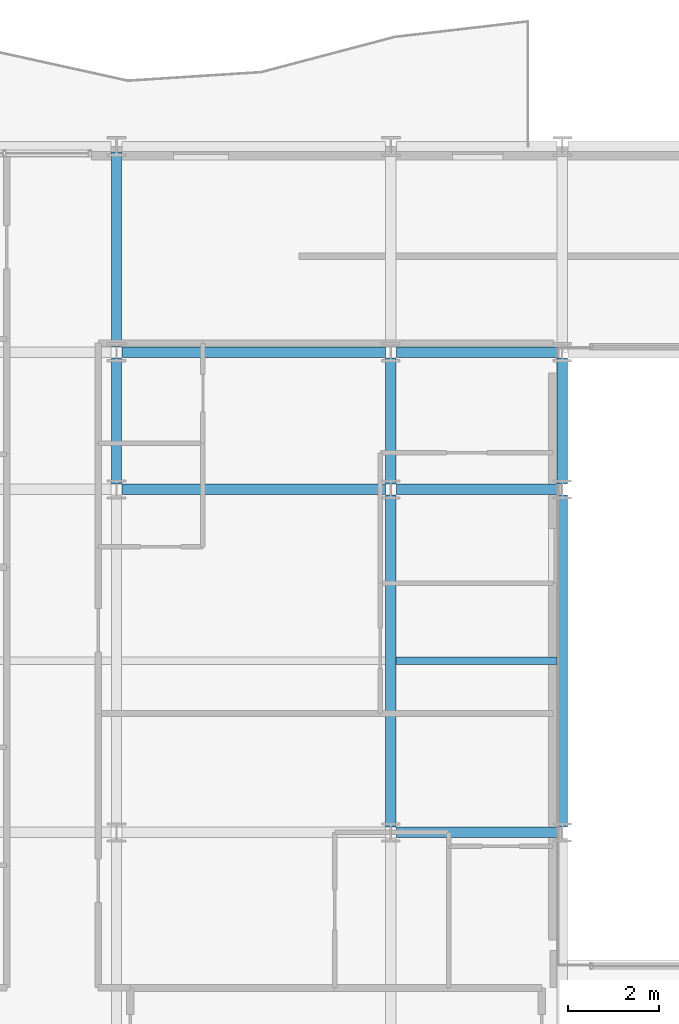
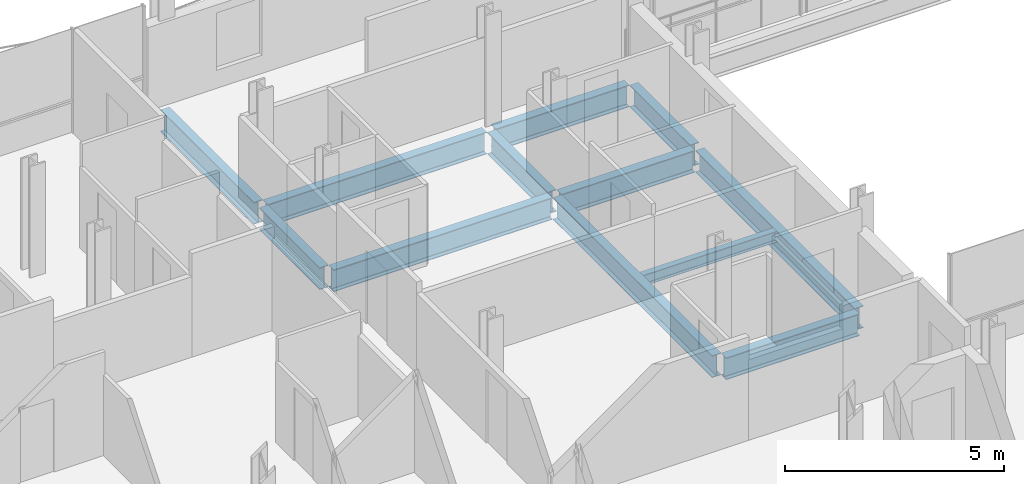
# One storey, part 8 of 40: 12 beams.
"""IFC4 building model written with IfcOpenShell, lengths in metres."""

from ifc_helpers import new_model, si_unit, direction, frame, origin, origin_2d, place, context, subcontext, project, spatial, i_section, extrude, material, material_profile, profile_set, type_object, element, save


model = new_model("IFC4")

# Units and contexts
model_context = context("Model", 3, precision=1e-05, world=origin(), true_north=direction((0.0, 1.0)))
body_context = subcontext(model_context, "Body", "Model", "MODEL_VIEW")
ifc_project = project(units=[si_unit("LENGTHUNIT", "METRE"), si_unit("AREAUNIT", "SQUARE_METRE"), si_unit("VOLUMEUNIT", "CUBIC_METRE"), si_unit("PLANEANGLEUNIT", "RADIAN"), si_unit("MASSUNIT", "GRAM", prefix="KILO")], contexts=[model_context])

# Site, building, storey
site_placement = place(None, origin())
site = spatial("IfcSite", under=ifc_project, at=site_placement, CompositionType="ELEMENT")
building_placement = place(site_placement, origin())
building = spatial("IfcBuilding", under=site, at=building_placement, Name="Brevholm Reach", CompositionType="ELEMENT")
storey_placement = place(building_placement, frame((0.0, 0.0, 125.199951171875)))
storey = spatial("IfcBuildingStorey", under=building, at=storey_placement, Name="L37", CompositionType="ELEMENT", Elevation=125.199951171875)

# Beams
ifc_material_1 = material(Name="Structural Steel S355J2", Category="steel")
ifc_material_profile_1 = material_profile(ifc_material_1, i_section(OverallWidth=0.1650390625, OverallDepth=0.303466796875, WebThickness=0.006103515625, FlangeThickness=0.01025390625, FilletRadius=0.0087890625, at=origin_2d()), Name="UKB 305x165x40")
ifc_profile_set_1 = profile_set([ifc_material_profile_1], Name="Structural Steel S355J2")
beam_type_1 = type_object("IfcBeamType", Name="BM-B305", PredefinedType="BEAM", material=ifc_profile_set_1)
beam_1_placement = place(storey_placement, frame((18.114501953125, 19.75, -0.37158203125), z_axis=(1.0, 0.0, 0.0), x_axis=(0.0, 1.0, 0.0)))
element("IfcBeam", 1, at=beam_1_placement, inside=storey, type_object=beam_type_1, Name="L37 Composite Secondary Floor Beam", PredefinedType="BEAM", context=body_context, shape_type="SweptSolid", body=[
    extrude(i_section(OverallWidth=0.1650390625, OverallDepth=0.303466796875, WebThickness=0.006103515625, FlangeThickness=0.01025390625, FilletRadius=0.0087890625, at=origin_2d()), origin(), (0.0, 0.0, 1.0), 3.52099609375),
])
ifc_material_2 = material(Name="Structural Steel S355J2", Category="steel")
ifc_material_profile_2 = material_profile(ifc_material_2, i_section(OverallWidth=0.22900390625, OverallDepth=0.6123046875, WebThickness=0.011962890625, FlangeThickness=0.01953125, FilletRadius=0.0126953125, at=origin_2d()), Name="UKB 610x229x125")
ifc_profile_set_2 = profile_set([ifc_material_profile_2], Name="Structural Steel S355J2")
beam_type_2 = type_object("IfcBeamType", Name="BM-SP610", PredefinedType="SPANDREL", material=ifc_profile_set_2)
beam_2_placement = place(storey_placement, frame((18.1201171875, 16.0, -0.526123046875), z_axis=(1.0, 0.0, 0.0), x_axis=(0.0, 1.0, 0.0)))
element("IfcBeam", 2, at=beam_2_placement, inside=storey, type_object=beam_type_2, Name="L37 SP-01 Framing Beam", PredefinedType="SPANDREL", context=body_context, shape_type="SweptSolid", body=[
    extrude(i_section(OverallWidth=0.22900390625, OverallDepth=0.6123046875, WebThickness=0.011962890625, FlangeThickness=0.01953125, FilletRadius=0.0126953125, at=origin_2d()), origin(), (0.0, 0.0, 1.0), 3.509765625),
])
beam_3_placement = place(storey_placement, frame((12.1201171875, 23.5, -0.526123046875), z_axis=(1.0, 0.0, 0.0), x_axis=(0.0, 1.0, 0.0)))
element("IfcBeam", 3, at=beam_3_placement, inside=storey, type_object=beam_type_2, Name="L37 SP-01 Framing Beam", PredefinedType="SPANDREL", context=body_context, shape_type="SweptSolid", body=[
    extrude(i_section(OverallWidth=0.22900390625, OverallDepth=0.6123046875, WebThickness=0.011962890625, FlangeThickness=0.01953125, FilletRadius=0.0126953125, at=origin_2d()), origin(), (0.0, 0.0, 1.0), 5.759765625),
])
beam_4_placement = place(storey_placement, frame((18.1201171875, 23.5, -0.526123046875), z_axis=(1.0, 0.0, 0.0), x_axis=(0.0, 1.0, 0.0)))
element("IfcBeam", 4, at=beam_4_placement, inside=storey, type_object=beam_type_2, Name="L37 SP-01 Framing Beam", PredefinedType="SPANDREL", context=body_context, shape_type="SweptSolid", body=[
    extrude(i_section(OverallWidth=0.22900390625, OverallDepth=0.6123046875, WebThickness=0.011962890625, FlangeThickness=0.01953125, FilletRadius=0.0126953125, at=origin_2d()), origin(), (0.0, 0.0, 1.0), 3.509765625),
])
beam_5_placement = place(storey_placement, frame((12.1201171875, 26.5, -0.526123046875), z_axis=(1.0, 0.0, 0.0), x_axis=(0.0, 1.0, 0.0)))
element("IfcBeam", 5, at=beam_5_placement, inside=storey, type_object=beam_type_2, Name="L37 SP-01 Framing Beam", PredefinedType="SPANDREL", context=body_context, shape_type="SweptSolid", body=[
    extrude(i_section(OverallWidth=0.22900390625, OverallDepth=0.6123046875, WebThickness=0.011962890625, FlangeThickness=0.01953125, FilletRadius=0.0126953125, at=origin_2d()), origin(), (0.0, 0.0, 1.0), 5.759765625),
])
beam_6_placement = place(storey_placement, frame((18.1201171875, 26.5, -0.526123046875), z_axis=(1.0, 0.0, 0.0), x_axis=(0.0, 1.0, 0.0)))
element("IfcBeam", 6, at=beam_6_placement, inside=storey, type_object=beam_type_2, Name="L37 SP-01 Framing Beam", PredefinedType="SPANDREL", context=body_context, shape_type="SweptSolid", body=[
    extrude(i_section(OverallWidth=0.22900390625, OverallDepth=0.6123046875, WebThickness=0.011962890625, FlangeThickness=0.01953125, FilletRadius=0.0126953125, at=origin_2d()), origin(), (0.0, 0.0, 1.0), 3.509765625),
])
beam_7_placement = place(storey_placement, frame((12.0, 23.6201171875, -0.526123046875), z_axis=(0.0, 1.0, 0.0), x_axis=(-1.0, 0.0, 0.0)))
element("IfcBeam", 7, at=beam_7_placement, inside=storey, type_object=beam_type_2, Name="L37 SP-01 Framing Beam", PredefinedType="SPANDREL", context=body_context, shape_type="SweptSolid", body=[
    extrude(i_section(OverallWidth=0.22900390625, OverallDepth=0.6123046875, WebThickness=0.011962890625, FlangeThickness=0.01953125, FilletRadius=0.0126953125, at=origin_2d()), origin(), (0.0, 0.0, 1.0), 2.759765625),
])
beam_8_placement = place(storey_placement, frame((12.0, 26.6201171875, -0.526123046875), z_axis=(0.0, 1.0, 0.0), x_axis=(-1.0, 0.0, 0.0)))
element("IfcBeam", 8, at=beam_8_placement, inside=storey, type_object=beam_type_2, Name="L37 SP-01 Framing Beam", PredefinedType="SPANDREL", context=body_context, shape_type="SweptSolid", body=[
    extrude(i_section(OverallWidth=0.22900390625, OverallDepth=0.6123046875, WebThickness=0.011962890625, FlangeThickness=0.01953125, FilletRadius=0.0126953125, at=origin_2d()), origin(), (0.0, 0.0, 1.0), 4.259765625),
])
beam_9_placement = place(storey_placement, frame((18.0, 16.1201171875, -0.526123046875), z_axis=(0.0, 1.0, 0.0), x_axis=(-1.0, 0.0, 0.0)))
element("IfcBeam", 9, at=beam_9_placement, inside=storey, type_object=beam_type_2, Name="L37 SP-01 Framing Beam", PredefinedType="SPANDREL", context=body_context, shape_type="SweptSolid", body=[
    extrude(i_section(OverallWidth=0.22900390625, OverallDepth=0.6123046875, WebThickness=0.011962890625, FlangeThickness=0.01953125, FilletRadius=0.0126953125, at=origin_2d()), origin(), (0.0, 0.0, 1.0), 7.259765625),
])
beam_10_placement = place(storey_placement, frame((18.0, 23.6201171875, -0.526123046875), z_axis=(0.0, 1.0, 0.0), x_axis=(-1.0, 0.0, 0.0)))
element("IfcBeam", 10, at=beam_10_placement, inside=storey, type_object=beam_type_2, Name="L37 SP-01 Framing Beam", PredefinedType="SPANDREL", context=body_context, shape_type="SweptSolid", body=[
    extrude(i_section(OverallWidth=0.22900390625, OverallDepth=0.6123046875, WebThickness=0.011962890625, FlangeThickness=0.01953125, FilletRadius=0.0126953125, at=origin_2d()), origin(), (0.0, 0.0, 1.0), 2.759765625),
])
beam_11_placement = place(storey_placement, frame((21.75, 16.1201171875, -0.526123046875), z_axis=(0.0, 1.0, 0.0), x_axis=(-1.0, 0.0, 0.0)))
element("IfcBeam", 11, at=beam_11_placement, inside=storey, type_object=beam_type_2, Name="L37 SP-01 Framing Beam", PredefinedType="SPANDREL", context=body_context, shape_type="SweptSolid", body=[
    extrude(i_section(OverallWidth=0.22900390625, OverallDepth=0.6123046875, WebThickness=0.011962890625, FlangeThickness=0.01953125, FilletRadius=0.0126953125, at=origin_2d()), origin(), (0.0, 0.0, 1.0), 7.259765625),
])
beam_12_placement = place(storey_placement, frame((21.75, 23.6201171875, -0.526123046875), z_axis=(0.0, 1.0, 0.0), x_axis=(-1.0, 0.0, 0.0)))
element("IfcBeam", 12, at=beam_12_placement, inside=storey, type_object=beam_type_2, Name="L37 SP-01 Framing Beam", PredefinedType="SPANDREL", context=body_context, shape_type="SweptSolid", body=[
    extrude(i_section(OverallWidth=0.22900390625, OverallDepth=0.6123046875, WebThickness=0.011962890625, FlangeThickness=0.01953125, FilletRadius=0.0126953125, at=origin_2d()), origin(), (0.0, 0.0, 1.0), 2.759765625),
])

save(model, "model.ifc")
